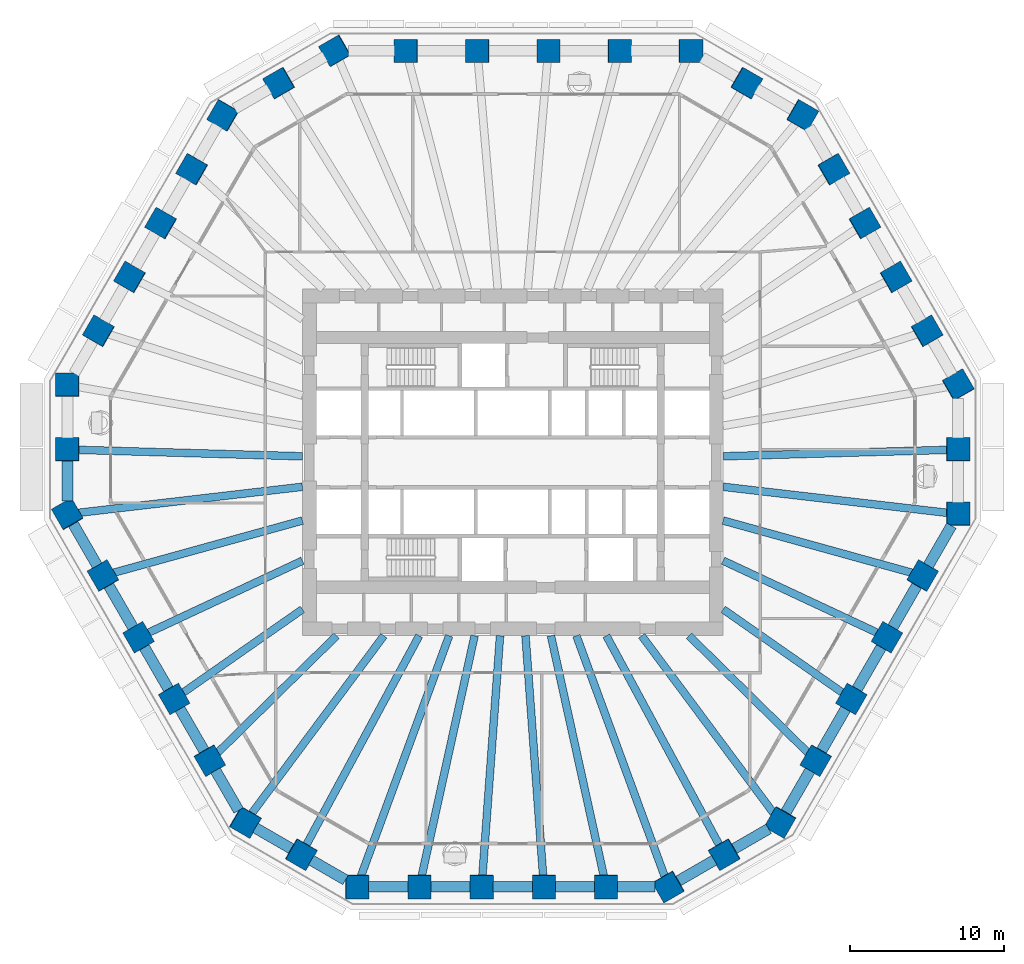
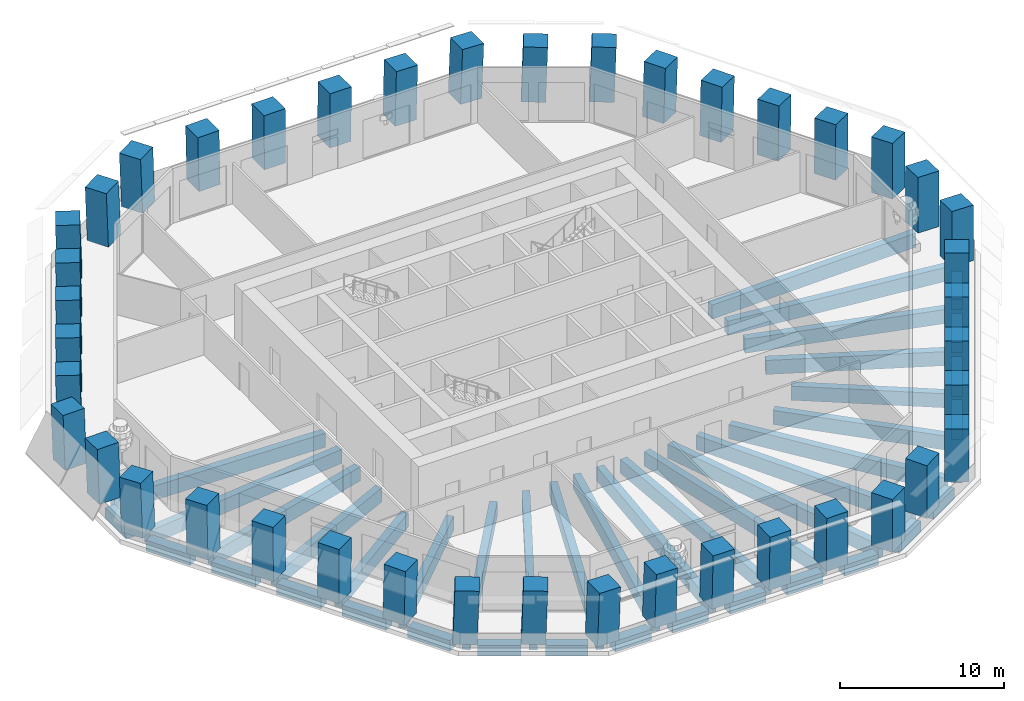
# One storey, part 1 of 12: 42 beams, 42 columns.
"""IFC4 building model written with IfcOpenShell, lengths in metres."""

from ifc_helpers import new_model, si_unit, direction, frame, origin, origin_2d, place, context, subcontext, project, spatial, rectangle, extrude, material, material_profile, profile_set, type_object, element, save


model = new_model("IFC4")

# Units and contexts
model_context = context("Model", 3, precision=1e-05, world=origin(), true_north=direction((0.0, 1.0)))
body_context = subcontext(model_context, "Body", "Model", "MODEL_VIEW")
ifc_project = project(units=[si_unit("LENGTHUNIT", "METRE"), si_unit("AREAUNIT", "SQUARE_METRE"), si_unit("VOLUMEUNIT", "CUBIC_METRE"), si_unit("PLANEANGLEUNIT", "RADIAN"), si_unit("MASSUNIT", "GRAM", prefix="KILO")], contexts=[model_context])

# Site, building, storey
site_placement = place(None, origin())
site = spatial("IfcSite", under=ifc_project, at=site_placement, CompositionType="ELEMENT")
building_placement = place(site_placement, origin())
building = spatial("IfcBuilding", under=site, at=building_placement, Name="Frailejon Research Tower", CompositionType="ELEMENT")
storey_placement = place(building_placement, frame((0.0, 0.0, 41.0)))
storey = spatial("IfcBuildingStorey", under=building, at=storey_placement, Name="L09", CompositionType="ELEMENT", Elevation=41.0)

# Columns
ifc_material_1 = material(Name="Concrete C70/85", Category="concrete")
ifc_material_profile_1 = material_profile(ifc_material_1, rectangle(XDim=1.5, YDim=1.5, at=origin_2d()), Name="Column 1500")
ifc_profile_set_1 = profile_set([ifc_material_profile_1], Name="Concrete C70/85")
column_type = type_object("IfcColumnType", Name="Column 1500", PredefinedType="COLUMN", material=ifc_profile_set_1)
for number, where, z_axis, x_axis, name in (
    (1, (28.891845703125, -3.35791015625, 0.0), (0.018132630042, 0.031385715123, 0.999342856388), (-2.2275817e-05, 0.999507197449, -0.031390472292), "Column C01"),
    (2, (28.891845703125, 0.82958984375, 0.0), (0.018132630042, 0.031385715123, 0.999342856388), (-0.000336383425, 0.999507319949, -0.031384776797), "Column C02"),
    (3, (28.891845703125, 5.01708984375, 0.0), (0.018132595726, 0.031445896907, 0.999340965106), (-0.50065774428, 0.865455051457, -0.018148746509), "Column C03"),
):
    element("IfcColumn", number, at=place(storey_placement, frame(where, z_axis=z_axis, x_axis=x_axis)), inside=storey, type_object=column_type, Name=name, PredefinedType="COLUMN", context=body_context, shape_type="SweptSolid", body=[
        extrude(rectangle(XDim=1.5, YDim=1.5, at=origin_2d()), origin(), (0.0, 0.0, 1.0), 4.052734375),
    ])
column_1_placement = place(storey_placement, frame((26.87158203125, 8.516357421875, 0.0), z_axis=(0.021749390218, 0.025123256844, 0.9994477405), x_axis=(-0.500502362591, 0.865666942435, -0.01086875412)))
element("IfcColumn", 4, at=column_1_placement, inside=storey, type_object=column_type, Name="Column C04", PredefinedType="COLUMN", context=body_context, shape_type="SweptSolid", body=[
    extrude(rectangle(XDim=1.5, YDim=1.5, at=origin_2d()), origin(), (0.0, 0.0, 1.0), 4.05224609375),
])
for number, where, z_axis, x_axis, name in (
    (5, (24.8515625, 12.015380859375, 0.0), (0.025365582388, 0.018858497119, 0.999500347332), (-0.500321526885, 0.865832042738, -0.003639162491), "Column C05"),
    (6, (22.831298828125, 15.514404296875, 0.0), (0.028980660531, 0.012532177527, 0.999501408624), (-0.498879152216, 0.866664088686, 0.003598453299), "Column C06"),
):
    element("IfcColumn", number, at=place(storey_placement, frame(where, z_axis=z_axis, x_axis=x_axis)), inside=storey, type_object=column_type, Name=name, PredefinedType="COLUMN", context=body_context, shape_type="SweptSolid", body=[
        extrude(rectangle(XDim=1.5, YDim=1.5, at=origin_2d()), origin(), (0.0, 0.0, 1.0), 4.052001953125),
    ])
column_2_placement = place(storey_placement, frame((20.81103515625, 19.013427734375, 0.0), z_axis=(0.032654187208, 0.006265748099, 0.999447069363), x_axis=(-0.499519823947, 0.866234008258, 0.010889831076)))
element("IfcColumn", 7, at=column_2_placement, inside=storey, type_object=column_type, Name="Column C07", PredefinedType="COLUMN", context=body_context, shape_type="SweptSolid", body=[
    extrude(rectangle(XDim=1.5, YDim=1.5, at=origin_2d()), origin(), (0.0, 0.0, 1.0), 4.05224609375),
])
for number, where, z_axis, x_axis, name in (
    (8, (18.791015625, 22.512451171875, 0.0), (0.036265236264, 0.0, 0.999342199969), (-0.865313546461, 0.500246354177, 0.031401456084), "Column C08"),
    (9, (15.164306640625, 24.606201171875, 0.0), (0.036265236264, 0.0, 0.999342199969), (-0.865313546461, 0.500246354177, 0.031401456084), "Column C09"),
    (10, (11.537841796875, 26.699951171875, 0.0), (0.036265236264, 0.0, 0.999342199969), (-0.999342199969, 0.0, 0.036265236264), "Column C10"),
):
    element("IfcColumn", number, at=place(storey_placement, frame(where, z_axis=z_axis, x_axis=x_axis)), inside=storey, type_object=column_type, Name=name, PredefinedType="COLUMN", context=body_context, shape_type="SweptSolid", body=[
        extrude(rectangle(XDim=1.5, YDim=1.5, at=origin_2d()), origin(), (0.0, 0.0, 1.0), 4.052734375),
    ])
column_3_placement = place(storey_placement, frame((6.922607421875, 26.699951171875, 0.0), z_axis=(0.021816495333, 0.0, 0.999761991942), x_axis=(-0.999761991942, 0.0, 0.021816495333)))
element("IfcColumn", 11, at=column_3_placement, inside=storey, type_object=column_type, Name="Column C11", PredefinedType="COLUMN", context=body_context, shape_type="SweptSolid", body=[
    extrude(rectangle(XDim=1.5, YDim=1.5, at=origin_2d()), origin(), (0.0, 0.0, 1.0), 4.051025390625),
])
for number, where, z_axis, x_axis, name in (
    (12, (2.3076171875, 26.699951171875, 0.0), (0.007233519834, 0.0, 0.999973837753), (-0.999973837753, 0.0, 0.007233519834), "Column C12"),
    (13, (-2.3076171875, 26.699951171875, 0.0), (-0.007233519834, 0.0, 0.999973837753), (-0.999973837753, 0.0, -0.007233519834), "Column C13"),
):
    element("IfcColumn", number, at=place(storey_placement, frame(where, z_axis=z_axis, x_axis=x_axis)), inside=storey, type_object=column_type, Name=name, PredefinedType="COLUMN", context=body_context, shape_type="SweptSolid", body=[
        extrude(rectangle(XDim=1.5, YDim=1.5, at=origin_2d()), origin(), (0.0, 0.0, 1.0), 4.050048828125),
    ])
column_4_placement = place(storey_placement, frame((-6.922607421875, 26.699951171875, 0.0), z_axis=(-0.021816495333, 0.0, 0.999761991942), x_axis=(-0.999761991942, 0.0, -0.021816495333)))
element("IfcColumn", 14, at=column_4_placement, inside=storey, type_object=column_type, Name="Column C14", PredefinedType="COLUMN", context=body_context, shape_type="SweptSolid", body=[
    extrude(rectangle(XDim=1.5, YDim=1.5, at=origin_2d()), origin(), (0.0, 0.0, 1.0), 4.051025390625),
])
for number, where, z_axis, x_axis, name in (
    (15, (-11.537841796875, 26.699951171875, 0.0), (-0.036265236264, 0.0, 0.999342199969), (-0.865313546461, -0.500246354177, -0.031401456084), "Column C15"),
    (16, (-15.164306640625, 24.606201171875, 0.0), (-0.036265236264, 0.0, 0.999342199969), (-0.865313546461, -0.500246354177, -0.031401456084), "Column C16"),
    (17, (-18.791015625, 22.512451171875, 0.0), (-0.036265236264, 0.0, 0.999342199969), (-0.499424867419, -0.866167613071, -0.018123682572), "Column C17"),
):
    element("IfcColumn", number, at=place(storey_placement, frame(where, z_axis=z_axis, x_axis=x_axis)), inside=storey, type_object=column_type, Name=name, PredefinedType="COLUMN", context=body_context, shape_type="SweptSolid", body=[
        extrude(rectangle(XDim=1.5, YDim=1.5, at=origin_2d()), origin(), (0.0, 0.0, 1.0), 4.052734375),
    ])
column_5_placement = place(storey_placement, frame((-20.81103515625, 19.013427734375, 0.0), z_axis=(-0.032654187208, 0.006265748099, 0.999447069363), x_axis=(-0.499519823947, -0.866234008258, -0.010889831076)))
element("IfcColumn", 18, at=column_5_placement, inside=storey, type_object=column_type, Name="Column C18", PredefinedType="COLUMN", context=body_context, shape_type="SweptSolid", body=[
    extrude(rectangle(XDim=1.5, YDim=1.5, at=origin_2d()), origin(), (0.0, 0.0, 1.0), 4.05224609375),
])
for number, where, z_axis, x_axis, name in (
    (19, (-22.831298828125, 15.514404296875, 0.0), (-0.028980660531, 0.012532177527, 0.999501408624), (-0.498879152216, -0.866664088686, -0.003598453299), "Column C19"),
    (20, (-24.8515625, 12.015380859375, 0.0), (-0.025365582388, 0.018858497119, 0.999500347332), (-0.500321526885, -0.865832042738, 0.003639162491), "Column C20"),
):
    element("IfcColumn", number, at=place(storey_placement, frame(where, z_axis=z_axis, x_axis=x_axis)), inside=storey, type_object=column_type, Name=name, PredefinedType="COLUMN", context=body_context, shape_type="SweptSolid", body=[
        extrude(rectangle(XDim=1.5, YDim=1.5, at=origin_2d()), origin(), (0.0, 0.0, 1.0), 4.052001953125),
    ])
column_6_placement = place(storey_placement, frame((-26.87158203125, 8.516357421875, 0.0), z_axis=(-0.021749390218, 0.025123256844, 0.9994477405), x_axis=(-0.500502362591, -0.865666942435, 0.01086875412)))
element("IfcColumn", 21, at=column_6_placement, inside=storey, type_object=column_type, Name="Column C21", PredefinedType="COLUMN", context=body_context, shape_type="SweptSolid", body=[
    extrude(rectangle(XDim=1.5, YDim=1.5, at=origin_2d()), origin(), (0.0, 0.0, 1.0), 4.05224609375),
])
for number, where, z_axis, x_axis, name in (
    (22, (-28.891845703125, 5.01708984375, 0.0), (-0.018132595726, 0.031445896907, 0.999340965106), (-0.000852885111, -0.999505415626, 0.031435596392), "Column C22"),
    (23, (-28.891845703125, 0.82958984375, 0.0), (-0.018132630042, 0.031385715123, 0.999342856388), (-0.000336383425, -0.999507319949, 0.031384776797), "Column C23"),
    (24, (-28.891845703125, -3.35791015625, 0.0), (-0.018132630042, 0.031385715123, 0.999342856388), (0.50014482047, -0.865182814935, 0.036247141934), "Column C24"),
):
    element("IfcColumn", number, at=place(storey_placement, frame(where, z_axis=z_axis, x_axis=x_axis)), inside=storey, type_object=column_type, Name=name, PredefinedType="COLUMN", context=body_context, shape_type="SweptSolid", body=[
        extrude(rectangle(XDim=1.5, YDim=1.5, at=origin_2d()), origin(), (0.0, 0.0, 1.0), 4.052734375),
    ])
column_7_placement = place(storey_placement, frame((-26.584228515625, -7.354736328125, 0.0), z_axis=(-0.010908253887, 0.018863444567, 0.99976256204), x_axis=(0.50018659929, -0.865643429133, 0.021790353113)))
element("IfcColumn", 25, at=column_7_placement, inside=storey, type_object=column_type, Name="Column C25", PredefinedType="COLUMN", context=body_context, shape_type="SweptSolid", body=[
    extrude(rectangle(XDim=1.5, YDim=1.5, at=origin_2d()), origin(), (0.0, 0.0, 1.0), 4.051025390625),
])
for number, where, z_axis, x_axis, name in (
    (26, (-24.276611328125, -11.3515625, 0.0), (-0.003616759812, 0.006269050341, 0.999973808685), (0.501883236828, -0.864905101718, 0.007237514304), "Column C26"),
    (27, (-21.968994140625, -15.348388671875, 0.0), (0.003616759812, -0.006269050341, 0.999973808685), (0.499535500447, -0.866263182786, -0.007237536985), "Column C27"),
):
    element("IfcColumn", number, at=place(storey_placement, frame(where, z_axis=z_axis, x_axis=x_axis)), inside=storey, type_object=column_type, Name=name, PredefinedType="COLUMN", context=body_context, shape_type="SweptSolid", body=[
        extrude(rectangle(XDim=1.5, YDim=1.5, at=origin_2d()), origin(), (0.0, 0.0, 1.0), 4.050048828125),
    ])
column_8_placement = place(storey_placement, frame((-19.66162109375, -19.34521484375, 0.0), z_axis=(0.010908253887, -0.018863444567, 0.99976256204), x_axis=(0.50018659929, -0.865643429133, -0.021790353113)))
element("IfcColumn", 28, at=column_8_placement, inside=storey, type_object=column_type, Name="Column C28", PredefinedType="COLUMN", context=body_context, shape_type="SweptSolid", body=[
    extrude(rectangle(XDim=1.5, YDim=1.5, at=origin_2d()), origin(), (0.0, 0.0, 1.0), 4.051025390625),
])
for number, where, z_axis, x_axis, name in (
    (29, (-17.35400390625, -23.342041015625, 0.0), (0.018132595726, -0.031445896907, 0.999340965106), (0.865740985748, -0.499504693256, -0.031426215359), "Column C29"),
    (30, (-13.727294921875, -25.435791015625, 0.0), (0.018132630042, -0.031385715123, 0.999342856388), (0.865999247617, -0.499059286831, -0.031386802217), "Column C30"),
    (31, (-10.100830078125, -27.52978515625, 0.0), (0.018132630042, -0.031385715123, 0.999342856388), (0.999835542766, 0.000260837684, -0.018133377656), "Column C31"),
):
    element("IfcColumn", number, at=place(storey_placement, frame(where, z_axis=z_axis, x_axis=x_axis)), inside=storey, type_object=column_type, Name=name, PredefinedType="COLUMN", context=body_context, shape_type="SweptSolid", body=[
        extrude(rectangle(XDim=1.5, YDim=1.5, at=origin_2d()), origin(), (0.0, 0.0, 1.0), 4.052734375),
    ])
column_9_placement = place(storey_placement, frame((-6.060546875, -27.52978515625, 0.0), z_axis=(0.010904819076, -0.031389009606, 0.999447755011), x_axis=(0.999940280046, 0.001063983363, -0.010876777103)))
element("IfcColumn", 32, at=column_9_placement, inside=storey, type_object=column_type, Name="Column C32", PredefinedType="COLUMN", context=body_context, shape_type="SweptSolid", body=[
    extrude(rectangle(XDim=1.5, YDim=1.5, at=origin_2d()), origin(), (0.0, 0.0, 1.0), 4.05224609375),
])
for number, where, z_axis, x_axis, name in (
    (33, (-2.020263671875, -27.52978515625, 0.0), (0.00361504848, -0.031390670968, 0.999500653927), (0.999993284093, -0.000488883211, -0.003632184291), "Column C33"),
    (34, (2.020263671875, -27.52978515625, 0.0), (-0.00361504848, -0.031390670968, 0.999500653927), (0.999993284093, 0.000488883211, 0.003632184291), "Column C34"),
):
    element("IfcColumn", number, at=place(storey_placement, frame(where, z_axis=z_axis, x_axis=x_axis)), inside=storey, type_object=column_type, Name=name, PredefinedType="COLUMN", context=body_context, shape_type="SweptSolid", body=[
        extrude(rectangle(XDim=1.5, YDim=1.5, at=origin_2d()), origin(), (0.0, 0.0, 1.0), 4.052001953125),
    ])
column_10_placement = place(storey_placement, frame((6.060546875, -27.52978515625, 0.0), z_axis=(-0.010904819076, -0.031389009606, 0.999447755011), x_axis=(0.999940280046, -0.001063983363, 0.010876777103)))
element("IfcColumn", 35, at=column_10_placement, inside=storey, type_object=column_type, Name="Column C35", PredefinedType="COLUMN", context=body_context, shape_type="SweptSolid", body=[
    extrude(rectangle(XDim=1.5, YDim=1.5, at=origin_2d()), origin(), (0.0, 0.0, 1.0), 4.05224609375),
])
for number, where, z_axis, x_axis, name in (
    (36, (10.100830078125, -27.52978515625, 0.0), (-0.018132630042, -0.031385715123, 0.999342856388), (0.865728748267, 0.499527764467, 0.031396607301), "Column C36"),
    (37, (13.727294921875, -25.435791015625, 0.0), (-0.018132630042, -0.031385715123, 0.999342856388), (0.865999247617, 0.499059286831, 0.031386802217), "Column C37"),
    (38, (17.35400390625, -23.342041015625, 0.0), (-0.018132595726, -0.031445896907, 0.999340965106), (0.499425428362, 0.865596098728, 0.036299247542), "Column C38"),
):
    element("IfcColumn", number, at=place(storey_placement, frame(where, z_axis=z_axis, x_axis=x_axis)), inside=storey, type_object=column_type, Name=name, PredefinedType="COLUMN", context=body_context, shape_type="SweptSolid", body=[
        extrude(rectangle(XDim=1.5, YDim=1.5, at=origin_2d()), origin(), (0.0, 0.0, 1.0), 4.052734375),
    ])
column_11_placement = place(storey_placement, frame((19.66162109375, -19.34521484375, 0.0), z_axis=(-0.010908253887, -0.018863444567, 0.99976256204), x_axis=(0.50018659929, 0.865643429133, 0.021790353113)))
element("IfcColumn", 39, at=column_11_placement, inside=storey, type_object=column_type, Name="Column C39", PredefinedType="COLUMN", context=body_context, shape_type="SweptSolid", body=[
    extrude(rectangle(XDim=1.5, YDim=1.5, at=origin_2d()), origin(), (0.0, 0.0, 1.0), 4.051025390625),
])
for number, where, z_axis, x_axis, name in (
    (40, (21.968994140625, -15.348388671875, 0.0), (-0.003616759812, -0.006269050341, 0.999973808685), (0.499535500447, 0.866263182786, 0.007237536985), "Column C40"),
    (41, (24.276611328125, -11.3515625, 0.0), (0.003616759812, 0.006269050341, 0.999973808685), (0.501883236828, 0.864905101718, -0.007237514304), "Column C41"),
):
    element("IfcColumn", number, at=place(storey_placement, frame(where, z_axis=z_axis, x_axis=x_axis)), inside=storey, type_object=column_type, Name=name, PredefinedType="COLUMN", context=body_context, shape_type="SweptSolid", body=[
        extrude(rectangle(XDim=1.5, YDim=1.5, at=origin_2d()), origin(), (0.0, 0.0, 1.0), 4.050048828125),
    ])
column_12_placement = place(storey_placement, frame((26.584228515625, -7.354736328125, 0.0), z_axis=(0.010908253887, 0.018863444567, 0.99976256204), x_axis=(0.50018659929, 0.865643429133, -0.021790353113)))
element("IfcColumn", 42, at=column_12_placement, inside=storey, type_object=column_type, Name="Column C42", PredefinedType="COLUMN", context=body_context, shape_type="SweptSolid", body=[
    extrude(rectangle(XDim=1.5, YDim=1.5, at=origin_2d()), origin(), (0.0, 0.0, 1.0), 4.051025390625),
])

# Beams
ifc_material_2 = material(Name="Concrete C60/75", Category="concrete")
ifc_material_profile_2 = material_profile(ifc_material_2, rectangle(XDim=0.5, YDim=1.050048828125, at=origin_2d()), Name="Girder 500x1050")
ifc_profile_set_2 = profile_set([ifc_material_profile_2], Name="Concrete C60/75")
beam_type_1 = type_object("IfcBeamType", Name="Girder 500x1050", PredefinedType="BEAM", material=ifc_profile_set_2)
beam_1_placement = place(storey_placement, frame((28.290771484375, -3.2880859375, -0.824951171875), z_axis=(-0.993313345119, 0.115449549192, 0.0), x_axis=(-0.115449549192, -0.993313345119, 0.0)))
element("IfcBeam", 43, at=beam_1_placement, inside=storey, type_object=beam_type_1, Name="Girder 500x1050", PredefinedType="BEAM", context=body_context, shape_type="SweptSolid", body=[
    extrude(rectangle(XDim=0.5, YDim=1.050048828125, at=origin_2d()), origin(), (0.0, 0.0, 1.0), 14.739501953125),
])
for number, where, z_axis, x_axis, name in (
    (44, (28.291748046875, 0.8125, -0.824951171875), (-0.999588038797, -0.028701092205, 0.0), (0.028701092205, -0.999588038797, 0.0), "Girder 500x1050"),
    (45, (-28.291748046875, 0.8125, -0.824951171875), (0.999588038797, -0.028701092205, 0.0), (0.028701092205, 0.999588038797, 0.0), "Girder 500x1050"),
):
    element("IfcBeam", number, at=place(storey_placement, frame(where, z_axis=z_axis, x_axis=x_axis)), inside=storey, type_object=beam_type_1, Name=name, PredefinedType="BEAM", context=body_context, shape_type="SweptSolid", body=[
        extrude(rectangle(XDim=0.5, YDim=1.050048828125, at=origin_2d()), origin(), (0.0, 0.0, 1.0), 14.64794921875),
    ])
beam_2_placement = place(storey_placement, frame((-28.229248046875, -3.281005859375, -0.824951171875), z_axis=(0.993312793584, 0.115454294427, 0.0), x_axis=(-0.115454294427, 0.993312793584, 0.0)))
element("IfcBeam", 46, at=beam_2_placement, inside=storey, type_object=beam_type_1, Name="Girder 500x1050", PredefinedType="BEAM", context=body_context, shape_type="SweptSolid", body=[
    extrude(rectangle(XDim=0.5, YDim=1.050048828125, at=origin_2d()), origin(), (0.0, 0.0, 1.0), 14.677490234375),
])
beam_3_placement = place(storey_placement, frame((-25.98193359375, -7.18798828125, -0.824951171875), z_axis=(0.963798393418, 0.266632062671, 0.0), x_axis=(-0.266632062671, 0.963798393418, 0.0)))
element("IfcBeam", 47, at=beam_3_placement, inside=storey, type_object=beam_type_1, Name="Girder 500x1050", PredefinedType="BEAM", context=body_context, shape_type="SweptSolid", body=[
    extrude(rectangle(XDim=0.5, YDim=1.050048828125, at=origin_2d()), origin(), (0.0, 0.0, 1.0), 12.795166015625),
])
beam_4_placement = place(storey_placement, frame((-23.730712890625, -11.09619140625, -0.824951171875), z_axis=(0.905864534092, 0.423567522213, 0.0), x_axis=(-0.423567522213, 0.905864534092, 0.0)))
element("IfcBeam", 48, at=beam_4_placement, inside=storey, type_object=beam_type_1, Name="Girder 500x1050", PredefinedType="BEAM", context=body_context, shape_type="SweptSolid", body=[
    extrude(rectangle(XDim=0.5, YDim=1.050048828125, at=origin_2d()), origin(), (0.0, 0.0, 1.0), 11.12841796875),
])
beam_5_placement = place(storey_placement, frame((-21.47509765625, -15.003173828125, -0.824951171875), z_axis=(0.819765059363, 0.57269996285, 0.0), x_axis=(-0.57269996285, 0.819765059363, 0.0)))
element("IfcBeam", 49, at=beam_5_placement, inside=storey, type_object=beam_type_1, Name="Girder 500x1050", PredefinedType="BEAM", context=body_context, shape_type="SweptSolid", body=[
    extrude(rectangle(XDim=0.5, YDim=1.050048828125, at=origin_2d()), origin(), (0.0, 0.0, 1.0), 9.545654296875),
])
beam_6_placement = place(storey_placement, frame((-19.216064453125, -18.906982421875, -0.824951171875), z_axis=(0.712819436426, 0.701347596456, 0.0), x_axis=(-0.701347596456, 0.712819436426, 0.0)))
element("IfcBeam", 50, at=beam_6_placement, inside=storey, type_object=beam_type_1, Name="Girder 500x1050", PredefinedType="BEAM", context=body_context, shape_type="SweptSolid", body=[
    extrude(rectangle(XDim=0.5, YDim=1.050048828125, at=origin_2d()), origin(), (0.0, 0.0, 1.0), 10.91748046875),
])
beam_7_placement = place(storey_placement, frame((-16.992919921875, -22.8564453125, -0.824951171875), z_axis=(0.596634755045, 0.802512908976, 0.0), x_axis=(-0.802512908976, 0.596634755045, 0.0)))
element("IfcBeam", 51, at=beam_7_placement, inside=storey, type_object=beam_type_1, Name="Girder 500x1050", PredefinedType="BEAM", context=body_context, shape_type="SweptSolid", body=[
    extrude(rectangle(XDim=0.5, YDim=1.050048828125, at=origin_2d()), origin(), (0.0, 0.0, 1.0), 14.462646484375),
])
beam_8_placement = place(storey_placement, frame((-13.4423828125, -24.90771484375, -0.824951171875), z_axis=(0.474933568002, 0.880021650862, 0.0), x_axis=(-0.880021650862, 0.474933568002, 0.0)))
element("IfcBeam", 52, at=beam_8_placement, inside=storey, type_object=beam_type_1, Name="Girder 500x1050", PredefinedType="BEAM", context=body_context, shape_type="SweptSolid", body=[
    extrude(rectangle(XDim=0.5, YDim=1.050048828125, at=origin_2d()), origin(), (0.0, 0.0, 1.0), 15.519775390625),
])
beam_9_placement = place(storey_placement, frame((-9.87744140625, -26.92041015625, -0.824951171875), z_axis=(0.344462645652, 0.938800024366, 0.0), x_axis=(-0.938800024366, 0.344462645652, 0.0)))
element("IfcBeam", 53, at=beam_9_placement, inside=storey, type_object=beam_type_1, Name="Girder 500x1050", PredefinedType="BEAM", context=body_context, shape_type="SweptSolid", body=[
    extrude(rectangle(XDim=0.5, YDim=1.050048828125, at=origin_2d()), origin(), (0.0, 0.0, 1.0), 16.69189453125),
])
beam_10_placement = place(storey_placement, frame((-5.927490234375, -26.92626953125, -0.824951171875), z_axis=(0.214989447351, 0.976616371728, 0.0), x_axis=(-0.976616371728, 0.214989447351, 0.0)))
element("IfcBeam", 54, at=beam_10_placement, inside=storey, type_object=beam_type_1, Name="Girder 500x1050", PredefinedType="BEAM", context=body_context, shape_type="SweptSolid", body=[
    extrude(rectangle(XDim=0.5, YDim=1.050048828125, at=origin_2d()), origin(), (0.0, 0.0, 1.0), 16.051513671875),
])
for number, where, z_axis, x_axis, name in (
    (55, (-1.97607421875, -26.92919921875, -0.824951171875), (0.073173804746, 0.997319203815, 0.0), (-0.997319203815, 0.073173804746, 0.0), "Girder 500x1050"),
    (56, (1.97607421875, -26.92919921875, -0.824951171875), (-0.073173804746, 0.997319203815, 0.0), (-0.997319203815, -0.073173804746, 0.0), "Girder 500x1050"),
):
    element("IfcBeam", number, at=place(storey_placement, frame(where, z_axis=z_axis, x_axis=x_axis)), inside=storey, type_object=beam_type_1, Name=name, PredefinedType="BEAM", context=body_context, shape_type="SweptSolid", body=[
        extrude(rectangle(XDim=0.5, YDim=1.050048828125, at=origin_2d()), origin(), (0.0, 0.0, 1.0), 15.721435546875),
    ])
beam_11_placement = place(storey_placement, frame((5.927490234375, -26.92626953125, -0.824951171875), z_axis=(-0.214989447351, 0.976616371728, 0.0), x_axis=(-0.976616371728, -0.214989447351, 0.0)))
element("IfcBeam", 57, at=beam_11_placement, inside=storey, type_object=beam_type_1, Name="Girder 500x1050", PredefinedType="BEAM", context=body_context, shape_type="SweptSolid", body=[
    extrude(rectangle(XDim=0.5, YDim=1.050048828125, at=origin_2d()), origin(), (0.0, 0.0, 1.0), 16.051513671875),
])
beam_12_placement = place(storey_placement, frame((9.890380859375, -26.955810546875, -0.824951171875), z_axis=(-0.344460033269, 0.938800982893, 0.0), x_axis=(-0.938800982893, -0.344460033269, 0.0)))
element("IfcBeam", 58, at=beam_12_placement, inside=storey, type_object=beam_type_1, Name="Girder 500x1050", PredefinedType="BEAM", context=body_context, shape_type="SweptSolid", body=[
    extrude(rectangle(XDim=0.5, YDim=1.050048828125, at=origin_2d()), origin(), (0.0, 0.0, 1.0), 16.729736328125),
])
beam_13_placement = place(storey_placement, frame((13.4423828125, -24.90771484375, -0.824951171875), z_axis=(-0.474933568002, 0.880021650862, 0.0), x_axis=(-0.880021650862, -0.474933568002, 0.0)))
element("IfcBeam", 59, at=beam_13_placement, inside=storey, type_object=beam_type_1, Name="Girder 500x1050", PredefinedType="BEAM", context=body_context, shape_type="SweptSolid", body=[
    extrude(rectangle(XDim=0.5, YDim=1.050048828125, at=origin_2d()), origin(), (0.0, 0.0, 1.0), 15.519775390625),
])
beam_14_placement = place(storey_placement, frame((16.955810546875, -22.806884765625, -0.824951171875), z_axis=(-0.596622984944, 0.802521659419, 0.0), x_axis=(-0.802521659419, -0.596622984944, 0.0)))
element("IfcBeam", 60, at=beam_14_placement, inside=storey, type_object=beam_type_1, Name="Girder 500x1050", PredefinedType="BEAM", context=body_context, shape_type="SweptSolid", body=[
    extrude(rectangle(XDim=0.5, YDim=1.050048828125, at=origin_2d()), origin(), (0.0, 0.0, 1.0), 14.400634765625),
])
beam_15_placement = place(storey_placement, frame((19.216064453125, -18.906982421875, -0.824951171875), z_axis=(-0.712819436426, 0.701347596456, 0.0), x_axis=(-0.701347596456, -0.712819436426, 0.0)))
element("IfcBeam", 61, at=beam_15_placement, inside=storey, type_object=beam_type_1, Name="Girder 500x1050", PredefinedType="BEAM", context=body_context, shape_type="SweptSolid", body=[
    extrude(rectangle(XDim=0.5, YDim=1.050048828125, at=origin_2d()), origin(), (0.0, 0.0, 1.0), 10.91748046875),
])
beam_16_placement = place(storey_placement, frame((21.47509765625, -15.003173828125, -0.824951171875), z_axis=(-0.819765059363, 0.57269996285, 0.0), x_axis=(-0.57269996285, -0.819765059363, 0.0)))
element("IfcBeam", 62, at=beam_16_placement, inside=storey, type_object=beam_type_1, Name="Girder 500x1050", PredefinedType="BEAM", context=body_context, shape_type="SweptSolid", body=[
    extrude(rectangle(XDim=0.5, YDim=1.050048828125, at=origin_2d()), origin(), (0.0, 0.0, 1.0), 9.545654296875),
])
beam_17_placement = place(storey_placement, frame((23.730712890625, -11.09619140625, -0.824951171875), z_axis=(-0.905864534092, 0.423567522213, 0.0), x_axis=(-0.423567522213, -0.905864534092, 0.0)))
element("IfcBeam", 63, at=beam_17_placement, inside=storey, type_object=beam_type_1, Name="Girder 500x1050", PredefinedType="BEAM", context=body_context, shape_type="SweptSolid", body=[
    extrude(rectangle(XDim=0.5, YDim=1.050048828125, at=origin_2d()), origin(), (0.0, 0.0, 1.0), 11.12841796875),
])
beam_18_placement = place(storey_placement, frame((25.98193359375, -7.18798828125, -0.824951171875), z_axis=(-0.963798393418, 0.266632062671, 0.0), x_axis=(-0.266632062671, -0.963798393418, 0.0)))
element("IfcBeam", 64, at=beam_18_placement, inside=storey, type_object=beam_type_1, Name="Girder 500x1050", PredefinedType="BEAM", context=body_context, shape_type="SweptSolid", body=[
    extrude(rectangle(XDim=0.5, YDim=1.050048828125, at=origin_2d()), origin(), (0.0, 0.0, 1.0), 12.795166015625),
])
ifc_material_3 = material(Name="Concrete C60/75", Category="concrete")
ifc_material_profile_3 = material_profile(ifc_material_3, rectangle(XDim=0.699951171875, YDim=0.800048828125, at=origin_2d()), Name="Spandrel 700x800")
ifc_profile_set_3 = profile_set([ifc_material_profile_3], Name="Concrete C60/75")
beam_type_2 = type_object("IfcBeamType", Name="Spandrel 700x800", PredefinedType="BEAM", material=ifc_profile_set_3)
beam_19_placement = place(storey_placement, frame((-28.891845703125, 0.07958984375, -0.75), z_axis=(0.0, -1.0, 0.0), x_axis=(1.0, 0.0, 0.0)))
element("IfcBeam", 65, at=beam_19_placement, inside=storey, type_object=beam_type_2, Name="Spandrel 700x800", PredefinedType="BEAM", context=body_context, shape_type="SweptSolid", body=[
    extrude(rectangle(XDim=0.699951171875, YDim=0.800048828125, at=origin_2d()), origin(), (0.0, 0.0, 1.0), 2.571533203125),
])
for number, where, z_axis, x_axis, name in (
    (66, (-28.516845703125, -4.00732421875, -0.75), (0.500016430238, -0.866015917575, 0.0), (0.866015917575, 0.500016430238, 0.0), "Spandrel 700x800"),
    (67, (-26.209228515625, -8.004150390625, -0.75), (0.499982495134, -0.866035509988, 0.0), (0.866035509988, 0.499982495134, 0.0), "Spandrel 700x800"),
    (68, (-23.901611328125, -12.001220703125, -0.75), (0.500016430238, -0.866015917575, 0.0), (0.866015917575, 0.500016430238, 0.0), "Spandrel 700x800"),
    (69, (-21.593994140625, -15.997802734375, -0.75), (0.499923714936, -0.866069442507, 0.0), (0.866069442507, 0.499923714936, 0.0), "Spandrel 700x800"),
):
    element("IfcBeam", number, at=place(storey_placement, frame(where, z_axis=z_axis, x_axis=x_axis)), inside=storey, type_object=beam_type_2, Name=name, PredefinedType="BEAM", context=body_context, shape_type="SweptSolid", body=[
        extrude(rectangle(XDim=0.699951171875, YDim=0.800048828125, at=origin_2d()), origin(), (0.0, 0.0, 1.0), 3.115234375),
    ])
beam_20_placement = place(storey_placement, frame((-19.28662109375, -19.994873046875, -0.75), z_axis=(0.50007007796, -0.865984940475, 0.0), x_axis=(0.865984940475, 0.50007007796, 0.0)))
element("IfcBeam", 70, at=beam_20_placement, inside=storey, type_object=beam_type_2, Name="Spandrel 700x800", PredefinedType="BEAM", context=body_context, shape_type="SweptSolid", body=[
    extrude(rectangle(XDim=0.699951171875, YDim=0.800048828125, at=origin_2d()), origin(), (0.0, 0.0, 1.0), 2.9990234375),
])
beam_21_placement = place(storey_placement, frame((-16.704345703125, -23.717041015625, -0.75), z_axis=(0.866020687897, -0.500008168067, 0.0), x_axis=(0.500008168067, 0.866020687897, 0.0)))
element("IfcBeam", 71, at=beam_21_placement, inside=storey, type_object=beam_type_2, Name="Spandrel 700x800", PredefinedType="BEAM", context=body_context, shape_type="SweptSolid", body=[
    extrude(rectangle(XDim=0.699951171875, YDim=0.800048828125, at=origin_2d()), origin(), (0.0, 0.0, 1.0), 2.6875),
])
beam_22_placement = place(storey_placement, frame((-13.077880859375, -25.810791015625, -0.75), z_axis=(0.866008514048, -0.50002925274, 0.0), x_axis=(0.50002925274, 0.866008514048, 0.0)))
element("IfcBeam", 72, at=beam_22_placement, inside=storey, type_object=beam_type_2, Name="Spandrel 700x800", PredefinedType="BEAM", context=body_context, shape_type="SweptSolid", body=[
    extrude(rectangle(XDim=0.699951171875, YDim=0.800048828125, at=origin_2d()), origin(), (0.0, 0.0, 1.0), 2.571533203125),
])
for number, where, z_axis, x_axis, name in (
    (73, (-9.350830078125, -27.52978515625, -0.75), (1.0, 0.0, 0.0), (0.0, 1.0, 0.0), "Spandrel 700x800"),
    (74, (-5.310546875, -27.52978515625, -0.75), (1.0, 0.0, 0.0), (0.0, 1.0, 0.0), "Spandrel 700x800"),
):
    element("IfcBeam", number, at=place(storey_placement, frame(where, z_axis=z_axis, x_axis=x_axis)), inside=storey, type_object=beam_type_2, Name=name, PredefinedType="BEAM", context=body_context, shape_type="SweptSolid", body=[
        extrude(rectangle(XDim=0.699951171875, YDim=0.800048828125, at=origin_2d()), origin(), (0.0, 0.0, 1.0), 2.540283203125),
    ])
beam_23_placement = place(storey_placement, frame((-1.270263671875, -27.52978515625, -0.75), z_axis=(1.0, 0.0, 0.0), x_axis=(0.0, 1.0, 0.0)))
element("IfcBeam", 75, at=beam_23_placement, inside=storey, type_object=beam_type_2, Name="Spandrel 700x800", PredefinedType="BEAM", context=body_context, shape_type="SweptSolid", body=[
    extrude(rectangle(XDim=0.699951171875, YDim=0.800048828125, at=origin_2d()), origin(), (0.0, 0.0, 1.0), 2.54052734375),
])
beam_24_placement = place(storey_placement, frame((2.770263671875, -27.52978515625, -0.75), z_axis=(1.0, 0.0, 0.0), x_axis=(0.0, 1.0, 0.0)))
element("IfcBeam", 76, at=beam_24_placement, inside=storey, type_object=beam_type_2, Name="Spandrel 700x800", PredefinedType="BEAM", context=body_context, shape_type="SweptSolid", body=[
    extrude(rectangle(XDim=0.699951171875, YDim=0.800048828125, at=origin_2d()), origin(), (0.0, 0.0, 1.0), 2.540283203125),
])
beam_25_placement = place(storey_placement, frame((6.810546875, -27.52978515625, -0.75), z_axis=(1.0, 0.0, 0.0), x_axis=(0.0, 1.0, 0.0)))
element("IfcBeam", 77, at=beam_25_placement, inside=storey, type_object=beam_type_2, Name="Spandrel 700x800", PredefinedType="BEAM", context=body_context, shape_type="SweptSolid", body=[
    extrude(rectangle(XDim=0.699951171875, YDim=0.800048828125, at=origin_2d()), origin(), (0.0, 0.0, 1.0), 2.42431640625),
])
beam_26_placement = place(storey_placement, frame((10.75048828125, -27.15478515625, -0.75), z_axis=(0.86598134975, 0.500076296064, 0.0), x_axis=(-0.500076296064, 0.86598134975, 0.0)))
element("IfcBeam", 78, at=beam_26_placement, inside=storey, type_object=beam_type_2, Name="Spandrel 700x800", PredefinedType="BEAM", context=body_context, shape_type="SweptSolid", body=[
    extrude(rectangle(XDim=0.699951171875, YDim=0.800048828125, at=origin_2d()), origin(), (0.0, 0.0, 1.0), 2.6875),
])
beam_27_placement = place(storey_placement, frame((14.376953125, -25.060791015625, -0.75), z_axis=(0.86604962328, 0.499958048256, 0.0), x_axis=(-0.499958048256, 0.86604962328, 0.0)))
element("IfcBeam", 79, at=beam_27_placement, inside=storey, type_object=beam_type_2, Name="Spandrel 700x800", PredefinedType="BEAM", context=body_context, shape_type="SweptSolid", body=[
    extrude(rectangle(XDim=0.699951171875, YDim=0.800048828125, at=origin_2d()), origin(), (0.0, 0.0, 1.0), 2.571533203125),
])
for number, where, z_axis, x_axis, name in (
    (80, (17.72900390625, -22.692626953125, -0.75), (0.500016430238, 0.866015917575, 0.0), (-0.866015917575, 0.500016430238, 0.0), "Spandrel 700x800"),
    (81, (20.03662109375, -18.69580078125, -0.75), (0.499923714936, 0.866069442507, 0.0), (-0.866069442507, 0.499923714936, 0.0), "Spandrel 700x800"),
    (82, (22.343994140625, -14.698974609375, -0.75), (0.500016430238, 0.866015917575, 0.0), (-0.866015917575, 0.500016430238, 0.0), "Spandrel 700x800"),
    (83, (24.651611328125, -10.7021484375, -0.75), (0.499982495134, 0.866035509988, 0.0), (-0.866035509988, 0.499982495134, 0.0), "Spandrel 700x800"),
):
    element("IfcBeam", number, at=place(storey_placement, frame(where, z_axis=z_axis, x_axis=x_axis)), inside=storey, type_object=beam_type_2, Name=name, PredefinedType="BEAM", context=body_context, shape_type="SweptSolid", body=[
        extrude(rectangle(XDim=0.699951171875, YDim=0.800048828125, at=origin_2d()), origin(), (0.0, 0.0, 1.0), 3.115234375),
    ])
beam_28_placement = place(storey_placement, frame((26.959228515625, -6.705078125, -0.75), z_axis=(0.500009026289, 0.866020192391, 0.0), x_axis=(-0.866020192391, 0.500009026289, 0.0)))
element("IfcBeam", 84, at=beam_28_placement, inside=storey, type_object=beam_type_2, Name="Spandrel 700x800", PredefinedType="BEAM", context=body_context, shape_type="SweptSolid", body=[
    extrude(rectangle(XDim=0.699951171875, YDim=0.800048828125, at=origin_2d()), origin(), (0.0, 0.0, 1.0), 2.9990234375),
])

save(model, "model.ifc")
